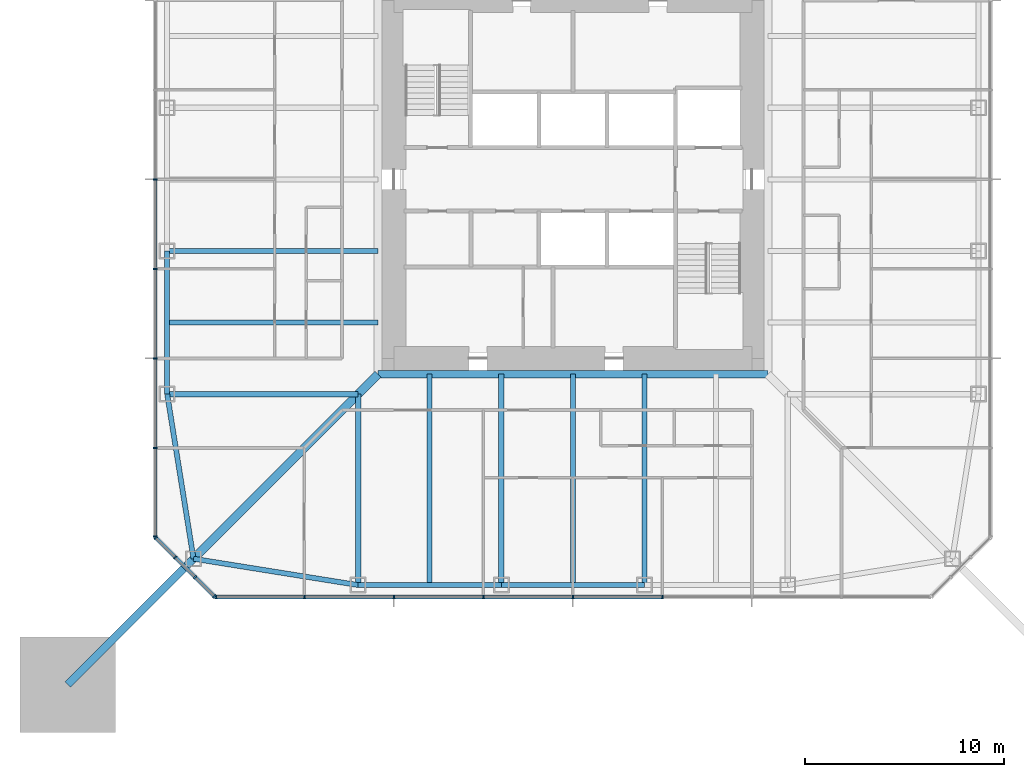
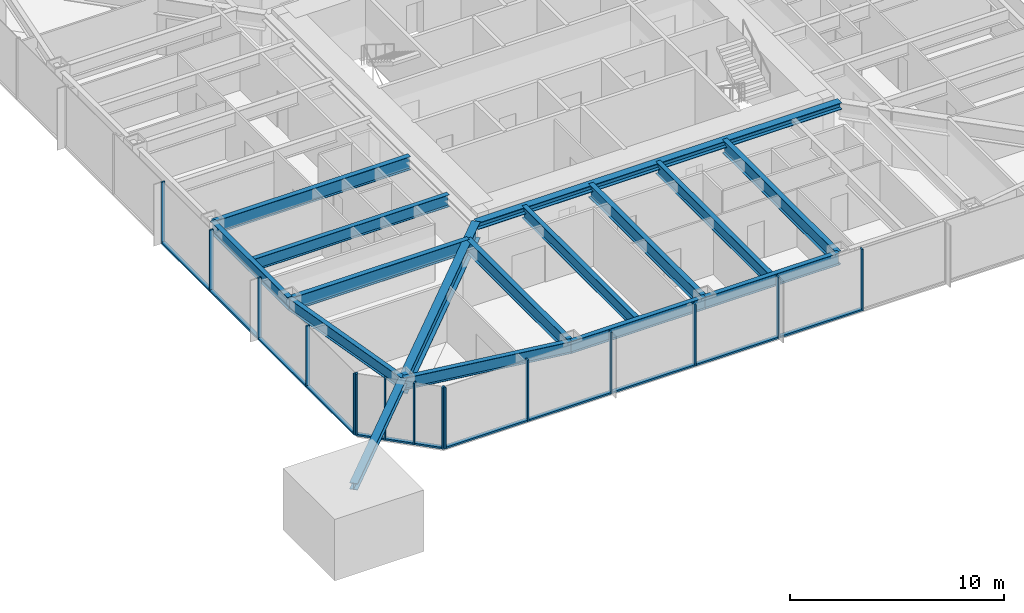
# One storey, part 3 of 25: 28 members, 15 beams, 3 elements without a shape of their own.
"""IFC4 building model written with IfcOpenShell, lengths in metres."""

from ifc_helpers import new_model, si_unit, direction, frame, origin, origin_2d, place, context, subcontext, project, spatial, rectangle, i_section, extrude, material, material_profile, profile_set, type_object, element, aggregate, save


model = new_model("IFC4")

# Units and contexts
model_context = context("Model", 3, precision=1e-05, world=origin(), true_north=direction((0.0, 1.0)))
body_context = subcontext(model_context, "Body", "Model", "MODEL_VIEW")
ifc_project = project(units=[si_unit("LENGTHUNIT", "METRE"), si_unit("AREAUNIT", "SQUARE_METRE"), si_unit("VOLUMEUNIT", "CUBIC_METRE"), si_unit("PLANEANGLEUNIT", "RADIAN"), si_unit("MASSUNIT", "GRAM", prefix="KILO")], contexts=[model_context])

# Site, building, storey
site_placement = place(None, origin())
site = spatial("IfcSite", under=ifc_project, at=site_placement, CompositionType="ELEMENT")
building_placement = place(site_placement, origin())
building = spatial("IfcBuilding", under=site, at=building_placement, Name="Iwan Alto Co-Living Towers", CompositionType="ELEMENT")
storey_placement = place(building_placement, frame((0.0, 0.0, 108.5)))
storey = spatial("IfcBuildingStorey", under=building, at=storey_placement, Name="L29", CompositionType="ELEMENT", Elevation=108.5)

# Curtain wall, members
ifc_material_1 = material(Name="Bronze aluminium unitised frame", Category="aluminium")
curtain_wall_type_1 = type_object("IfcCurtainWallType", Name="CURTAIN WALL CW-A", PredefinedType="NOTDEFINED", material=ifc_material_1)
curtain_wall_1_placement = place(storey_placement, origin())
curtain_wall_1 = element("IfcCurtainWall", 1, at=curtain_wall_1_placement, inside=storey, type_object=curtain_wall_type_1, Name="T1 curtain wall S L29", PredefinedType="NOTDEFINED")
ifc_material_2 = material(Name="Aluminium 6063-T6 bronze anodised", Category="aluminium")
ifc_material_profile_1 = material_profile(ifc_material_2, rectangle(XDim=0.199951171875, YDim=0.080078125, at=origin_2d()), Name="AL 80X200")
ifc_profile_set_1 = profile_set([ifc_material_profile_1], Name="Aluminium 6063-T6 bronze anodised")
member_type_1 = type_object("IfcMemberType", Name="CW-A MULLION 80X200", PredefinedType="MULLION", material=ifc_profile_set_1)
member_1_placement = place(storey_placement, frame((-17.9599609375, -21.0, 0.0), z_axis=(0.0, 0.0, 1.0), x_axis=(0.0, 1.0, 0.0)))
member_1 = element("IfcMember", 2, at=member_1_placement, type_object=member_type_1, Name="CW-A mullion 1", PredefinedType="MULLION", context=body_context, shape_type="SweptSolid", body=[
    extrude(rectangle(XDim=0.199951171875, YDim=0.080078125, at=origin_2d()), origin(), (0.0, 0.0, 1.0), 3.5),
])
member_2_placement = place(storey_placement, frame((-13.5, -21.0, 0.0), z_axis=(0.0, 0.0, 1.0), x_axis=(0.0, 1.0, 0.0)))
member_2 = element("IfcMember", 3, at=member_2_placement, type_object=member_type_1, Name="CW-A mullion 2", PredefinedType="MULLION", context=body_context, shape_type="SweptSolid", body=[
    extrude(rectangle(XDim=0.199951171875, YDim=0.080078125, at=origin_2d()), origin(), (0.0, 0.0, 1.0), 3.5),
])
member_3_placement = place(storey_placement, frame((-9.0, -21.0, 0.0), z_axis=(0.0, 0.0, 1.0), x_axis=(0.0, 1.0, 0.0)))
member_3 = element("IfcMember", 4, at=member_3_placement, type_object=member_type_1, Name="CW-A mullion 3", PredefinedType="MULLION", context=body_context, shape_type="SweptSolid", body=[
    extrude(rectangle(XDim=0.199951171875, YDim=0.080078125, at=origin_2d()), origin(), (0.0, 0.0, 1.0), 3.5),
])
member_4_placement = place(storey_placement, frame((-4.5, -21.0, 0.0), z_axis=(0.0, 0.0, 1.0), x_axis=(0.0, 1.0, 0.0)))
member_4 = element("IfcMember", 5, at=member_4_placement, type_object=member_type_1, Name="CW-A mullion 4", PredefinedType="MULLION", context=body_context, shape_type="SweptSolid", body=[
    extrude(rectangle(XDim=0.199951171875, YDim=0.080078125, at=origin_2d()), origin(), (0.0, 0.0, 1.0), 3.5),
])
member_5_placement = place(storey_placement, frame((0.0, -21.0, 0.0), z_axis=(0.0, 0.0, 1.0), x_axis=(0.0, 1.0, 0.0)))
member_5 = element("IfcMember", 6, at=member_5_placement, type_object=member_type_1, Name="CW-A mullion 5", PredefinedType="MULLION", context=body_context, shape_type="SweptSolid", body=[
    extrude(rectangle(XDim=0.199951171875, YDim=0.080078125, at=origin_2d()), origin(), (0.0, 0.0, 1.0), 3.5),
])
member_6_placement = place(storey_placement, frame((4.5, -21.0, 0.0), z_axis=(0.0, 0.0, 1.0), x_axis=(0.0, 1.0, 0.0)))
member_6 = element("IfcMember", 7, at=member_6_placement, type_object=member_type_1, Name="CW-A mullion 6", PredefinedType="MULLION", context=body_context, shape_type="SweptSolid", body=[
    extrude(rectangle(XDim=0.199951171875, YDim=0.080078125, at=origin_2d()), origin(), (0.0, 0.0, 1.0), 3.5),
])

curtain_wall_2_placement = place(storey_placement, origin())
curtain_wall_2 = element("IfcCurtainWall", 8, at=curtain_wall_2_placement, inside=storey, type_object=curtain_wall_type_1, Name="T1 curtain wall W L29", PredefinedType="NOTDEFINED")
member_7_placement = place(storey_placement, frame((-21.0, 0.0, 0.0), z_axis=(0.0, 0.0, 1.0), x_axis=(1.0, 0.0, 0.0)))
member_7 = element("IfcMember", 9, at=member_7_placement, type_object=member_type_1, Name="CW-A mullion 5", PredefinedType="MULLION", context=body_context, shape_type="SweptSolid", body=[
    extrude(rectangle(XDim=0.199951171875, YDim=0.080078125, at=origin_2d()), origin(), (0.0, 0.0, 1.0), 3.5),
])
member_8_placement = place(storey_placement, frame((-21.0, -4.5, 0.0), z_axis=(0.0, 0.0, 1.0), x_axis=(1.0, 0.0, 0.0)))
member_8 = element("IfcMember", 10, at=member_8_placement, type_object=member_type_1, Name="CW-A mullion 6", PredefinedType="MULLION", context=body_context, shape_type="SweptSolid", body=[
    extrude(rectangle(XDim=0.199951171875, YDim=0.080078125, at=origin_2d()), origin(), (0.0, 0.0, 1.0), 3.5),
])
member_9_placement = place(storey_placement, frame((-21.0, -9.0, 0.0), z_axis=(0.0, 0.0, 1.0), x_axis=(1.0, 0.0, 0.0)))
member_9 = element("IfcMember", 11, at=member_9_placement, type_object=member_type_1, Name="CW-A mullion 7", PredefinedType="MULLION", context=body_context, shape_type="SweptSolid", body=[
    extrude(rectangle(XDim=0.199951171875, YDim=0.080078125, at=origin_2d()), origin(), (0.0, 0.0, 1.0), 3.5),
])
member_10_placement = place(storey_placement, frame((-21.0, -13.5, 0.0), z_axis=(0.0, 0.0, 1.0), x_axis=(1.0, 0.0, 0.0)))
member_10 = element("IfcMember", 12, at=member_10_placement, type_object=member_type_1, Name="CW-A mullion 8", PredefinedType="MULLION", context=body_context, shape_type="SweptSolid", body=[
    extrude(rectangle(XDim=0.199951171875, YDim=0.080078125, at=origin_2d()), origin(), (0.0, 0.0, 1.0), 3.5),
])
member_11_placement = place(storey_placement, frame((-21.0, -17.9599609375, 0.0), z_axis=(0.0, 0.0, 1.0), x_axis=(1.0, 0.0, 0.0)))
member_11 = element("IfcMember", 13, at=member_11_placement, type_object=member_type_1, Name="CW-A mullion 9", PredefinedType="MULLION", context=body_context, shape_type="SweptSolid", body=[
    extrude(rectangle(XDim=0.199951171875, YDim=0.080078125, at=origin_2d()), origin(), (0.0, 0.0, 1.0), 3.5),
])

# Member
ifc_material_3 = material(Name="Aluminium 6063-T6 bronze anodised", Category="aluminium")
ifc_material_profile_2 = material_profile(ifc_material_3, rectangle(XDim=0.199951171875, YDim=0.10009765625, at=origin_2d()), Name="AL 200X100")
ifc_profile_set_2 = profile_set([ifc_material_profile_2], Name="Aluminium 6063-T6 bronze anodised")
member_type_2 = type_object("IfcMemberType", Name="CW-A TRANSOM 200X100", PredefinedType="USERDEFINED", material=ifc_profile_set_2)
member_12_placement = place(storey_placement, frame((-17.919921875, -21.0, 0.050048828125), z_axis=(1.0, 0.0, 0.0), x_axis=(0.0, 1.0, 0.0)))
member_12 = element("IfcMember", 14, at=member_12_placement, type_object=member_type_2, Name="CW-A transom 1.1", ObjectType="TRANSOM", PredefinedType="USERDEFINED", context=body_context, shape_type="SweptSolid", body=[
    extrude(rectangle(XDim=0.199951171875, YDim=0.10009765625, at=origin_2d()), origin(), (0.0, 0.0, 1.0), 4.3798828125),
])

member_13_placement = place(storey_placement, frame((-13.4599609375, -21.0, 0.050048828125), z_axis=(1.0, 0.0, 0.0), x_axis=(0.0, 1.0, 0.0)))
member_13 = element("IfcMember", 15, at=member_13_placement, type_object=member_type_2, Name="CW-A transom 2.1", ObjectType="TRANSOM", PredefinedType="USERDEFINED", context=body_context, shape_type="SweptSolid", body=[
    extrude(rectangle(XDim=0.199951171875, YDim=0.10009765625, at=origin_2d()), origin(), (0.0, 0.0, 1.0), 4.419921875),
])

member_14_placement = place(storey_placement, frame((-8.9599609375, -21.0, 0.050048828125), z_axis=(1.0, 0.0, 0.0), x_axis=(0.0, 1.0, 0.0)))
member_14 = element("IfcMember", 16, at=member_14_placement, type_object=member_type_2, Name="CW-A transom 3.1", ObjectType="TRANSOM", PredefinedType="USERDEFINED", context=body_context, shape_type="SweptSolid", body=[
    extrude(rectangle(XDim=0.199951171875, YDim=0.10009765625, at=origin_2d()), origin(), (0.0, 0.0, 1.0), 4.419921875),
])

member_15_placement = place(storey_placement, frame((-4.4599609375, -21.0, 0.050048828125), z_axis=(1.0, 0.0, 0.0), x_axis=(0.0, 1.0, 0.0)))
member_15 = element("IfcMember", 17, at=member_15_placement, type_object=member_type_2, Name="CW-A transom 4.1", ObjectType="TRANSOM", PredefinedType="USERDEFINED", context=body_context, shape_type="SweptSolid", body=[
    extrude(rectangle(XDim=0.199951171875, YDim=0.10009765625, at=origin_2d()), origin(), (0.0, 0.0, 1.0), 4.419921875),
])

member_16_placement = place(storey_placement, frame((0.0400390625, -21.0, 0.050048828125), z_axis=(1.0, 0.0, 0.0), x_axis=(0.0, 1.0, 0.0)))
member_16 = element("IfcMember", 18, at=member_16_placement, type_object=member_type_2, Name="CW-A transom 5.1", ObjectType="TRANSOM", PredefinedType="USERDEFINED", context=body_context, shape_type="SweptSolid", body=[
    extrude(rectangle(XDim=0.199951171875, YDim=0.10009765625, at=origin_2d()), origin(), (0.0, 0.0, 1.0), 4.419921875),
])

aggregate(curtain_wall_1, [member_1, member_2, member_3, member_4, member_5, member_6, member_12, member_13, member_14, member_15, member_16])

member_17_placement = place(storey_placement, frame((-21.0, -0.0400390625, 0.050048828125), z_axis=(0.0, -1.0, 0.0), x_axis=(1.0, 0.0, 0.0)))
member_17 = element("IfcMember", 19, at=member_17_placement, type_object=member_type_2, Name="CW-A transom 5.1", ObjectType="TRANSOM", PredefinedType="USERDEFINED", context=body_context, shape_type="SweptSolid", body=[
    extrude(rectangle(XDim=0.199951171875, YDim=0.10009765625, at=origin_2d()), origin(), (0.0, 0.0, 1.0), 4.419921875),
])

member_18_placement = place(storey_placement, frame((-21.0, -4.5400390625, 0.050048828125), z_axis=(0.0, -1.0, 0.0), x_axis=(1.0, 0.0, 0.0)))
member_18 = element("IfcMember", 20, at=member_18_placement, type_object=member_type_2, Name="CW-A transom 6.1", ObjectType="TRANSOM", PredefinedType="USERDEFINED", context=body_context, shape_type="SweptSolid", body=[
    extrude(rectangle(XDim=0.199951171875, YDim=0.10009765625, at=origin_2d()), origin(), (0.0, 0.0, 1.0), 4.419921875),
])

member_19_placement = place(storey_placement, frame((-21.0, -9.0400390625, 0.050048828125), z_axis=(0.0, -1.0, 0.0), x_axis=(1.0, 0.0, 0.0)))
member_19 = element("IfcMember", 21, at=member_19_placement, type_object=member_type_2, Name="CW-A transom 7.1", ObjectType="TRANSOM", PredefinedType="USERDEFINED", context=body_context, shape_type="SweptSolid", body=[
    extrude(rectangle(XDim=0.199951171875, YDim=0.10009765625, at=origin_2d()), origin(), (0.0, 0.0, 1.0), 4.419921875),
])

member_20_placement = place(storey_placement, frame((-21.0, -13.5400390625, 0.050048828125), z_axis=(0.0, -1.0, 0.0), x_axis=(1.0, 0.0, 0.0)))
member_20 = element("IfcMember", 22, at=member_20_placement, type_object=member_type_2, Name="CW-A transom 8.1", ObjectType="TRANSOM", PredefinedType="USERDEFINED", context=body_context, shape_type="SweptSolid", body=[
    extrude(rectangle(XDim=0.199951171875, YDim=0.10009765625, at=origin_2d()), origin(), (0.0, 0.0, 1.0), 4.3798828125),
])

aggregate(curtain_wall_2, [member_7, member_8, member_9, member_10, member_11, member_17, member_18, member_19, member_20])

# Curtain wall, members
ifc_material_4 = material(Name="Bronze aluminium unitised frame", Category="aluminium")
curtain_wall_type_2 = type_object("IfcCurtainWallType", Name="CURTAIN WALL CW-B", PredefinedType="NOTDEFINED", material=ifc_material_4)
curtain_wall_3_placement = place(storey_placement, origin())
curtain_wall_3 = element("IfcCurtainWall", 23, at=curtain_wall_3_placement, inside=storey, type_object=curtain_wall_type_2, Name="T1 chamfer curtain wall SW L29", PredefinedType="NOTDEFINED")
ifc_material_5 = material(Name="Aluminium 6063-T6 bronze anodised", Category="aluminium")
ifc_material_profile_3 = material_profile(ifc_material_5, rectangle(XDim=0.199951171875, YDim=0.080078125, at=origin_2d()), Name="AL 80X200")
ifc_profile_set_3 = profile_set([ifc_material_profile_3], Name="Aluminium 6063-T6 bronze anodised")
member_type_3 = type_object("IfcMemberType", Name="CW-B MULLION 80X200", PredefinedType="MULLION", material=ifc_profile_set_3)
member_21_placement = place(storey_placement, frame((-20.9716796875, -18.0283203125, 0.0), z_axis=(0.0, 0.0, 1.0), x_axis=(0.707106781187, 0.707106781187, 0.0)))
member_21 = element("IfcMember", 24, at=member_21_placement, type_object=member_type_3, Name="CW-B mullion 1", PredefinedType="MULLION", context=body_context, shape_type="SweptSolid", body=[
    extrude(rectangle(XDim=0.199951171875, YDim=0.080078125, at=origin_2d()), origin(), (0.0, 0.0, 1.0), 3.5),
])
member_22_placement = place(storey_placement, frame((-20.0, -19.0, 0.0), z_axis=(0.0, 0.0, 1.0), x_axis=(0.707106781187, 0.707106781187, 0.0)))
member_22 = element("IfcMember", 25, at=member_22_placement, type_object=member_type_3, Name="CW-B mullion 2", PredefinedType="MULLION", context=body_context, shape_type="SweptSolid", body=[
    extrude(rectangle(XDim=0.199951171875, YDim=0.080078125, at=origin_2d()), origin(), (0.0, 0.0, 1.0), 3.5),
])
member_23_placement = place(storey_placement, frame((-19.0, -20.0, 0.0), z_axis=(0.0, 0.0, 1.0), x_axis=(0.707106781187, 0.707106781187, 0.0)))
member_23 = element("IfcMember", 26, at=member_23_placement, type_object=member_type_3, Name="CW-B mullion 3", PredefinedType="MULLION", context=body_context, shape_type="SweptSolid", body=[
    extrude(rectangle(XDim=0.199951171875, YDim=0.080078125, at=origin_2d()), origin(), (0.0, 0.0, 1.0), 3.5),
])
member_24_placement = place(storey_placement, frame((-18.0283203125, -20.9716796875, 0.0), z_axis=(0.0, 0.0, 1.0), x_axis=(0.707106781187, 0.707106781187, 0.0)))
member_24 = element("IfcMember", 27, at=member_24_placement, type_object=member_type_3, Name="CW-B mullion 4", PredefinedType="MULLION", context=body_context, shape_type="SweptSolid", body=[
    extrude(rectangle(XDim=0.199951171875, YDim=0.080078125, at=origin_2d()), origin(), (0.0, 0.0, 1.0), 3.5),
])
ifc_material_6 = material(Name="Aluminium 6063-T6 bronze anodised", Category="aluminium")
ifc_material_profile_4 = material_profile(ifc_material_6, rectangle(XDim=0.199951171875, YDim=0.10009765625, at=origin_2d()), Name="AL 200X100")
ifc_profile_set_4 = profile_set([ifc_material_profile_4], Name="Aluminium 6063-T6 bronze anodised")
member_type_4 = type_object("IfcMemberType", Name="CW-B TRANSOM 200X100", PredefinedType="USERDEFINED", material=ifc_profile_set_4)
member_25_placement = place(storey_placement, frame((-20.943359375, -18.056640625, 0.050048828125), z_axis=(0.707106781187, -0.707106781187, 0.0), x_axis=(0.707106781187, 0.707106781187, 0.0)))
member_25 = element("IfcMember", 28, at=member_25_placement, type_object=member_type_4, Name="CW-B transom 1.1", ObjectType="TRANSOM", PredefinedType="USERDEFINED", context=body_context, shape_type="SweptSolid", body=[
    extrude(rectangle(XDim=0.199951171875, YDim=0.10009765625, at=origin_2d()), origin(), (0.0, 0.0, 1.0), 1.2939453125),
])
member_26_placement = place(storey_placement, frame((-19.9716796875, -19.0283203125, 0.050048828125), z_axis=(0.707106781187, -0.707106781187, 0.0), x_axis=(0.707106781187, 0.707106781187, 0.0)))
member_26 = element("IfcMember", 29, at=member_26_placement, type_object=member_type_4, Name="CW-B transom 2.1", ObjectType="TRANSOM", PredefinedType="USERDEFINED", context=body_context, shape_type="SweptSolid", body=[
    extrude(rectangle(XDim=0.199951171875, YDim=0.10009765625, at=origin_2d()), origin(), (0.0, 0.0, 1.0), 1.334228515625),
])
member_27_placement = place(storey_placement, frame((-18.9716796875, -20.0283203125, 0.050048828125), z_axis=(0.707106781187, -0.707106781187, 0.0), x_axis=(0.707106781187, 0.707106781187, 0.0)))
member_27 = element("IfcMember", 30, at=member_27_placement, type_object=member_type_4, Name="CW-B transom 3.1", ObjectType="TRANSOM", PredefinedType="USERDEFINED", context=body_context, shape_type="SweptSolid", body=[
    extrude(rectangle(XDim=0.199951171875, YDim=0.10009765625, at=origin_2d()), origin(), (0.0, 0.0, 1.0), 1.2939453125),
])
aggregate(curtain_wall_3, [member_21, member_22, member_23, member_24, member_25, member_26, member_27])

# Beams
ifc_material_7 = material(Name="Steel ASTM A992 Gr 50", Category="steel")
ifc_material_profile_5 = material_profile(ifc_material_7, i_section(OverallWidth=0.398681640625, OverallDepth=0.385986328125, WebThickness=0.02099609375, FlangeThickness=0.033203125, at=origin_2d()), Name="W14X176")
ifc_profile_set_5 = profile_set([ifc_material_profile_5], Name="Steel ASTM A992 Gr 50")
beam_type_1 = type_object("IfcBeamType", Name="T1 CORE LEDGER BEAM W14X176", PredefinedType="BEAM", material=ifc_profile_set_5)
beam_1_placement = place(storey_placement, frame((-9.79931640625, -9.79931640625, 3.076904296875), z_axis=(1.0, 0.0, 0.0), x_axis=(0.0, 1.0, 0.0)))
element("IfcBeam", 31, at=beam_1_placement, inside=storey, type_object=beam_type_1, Name="T1 core ledger beam S L30", PredefinedType="BEAM", context=body_context, shape_type="SweptSolid", body=[
    extrude(i_section(OverallWidth=0.398681640625, OverallDepth=0.385986328125, WebThickness=0.02099609375, FlangeThickness=0.033203125, at=origin_2d()), origin(), (0.0, 0.0, 1.0), 19.5986328125),
])
ifc_material_8 = material(Name="Steel ASTM A992 Gr 50", Category="steel")
ifc_material_profile_6 = material_profile(ifc_material_8, i_section(OverallWidth=0.419189453125, OverallDepth=0.927001953125, WebThickness=0.019287109375, FlangeThickness=0.031982421875, at=origin_2d()), Name="W36X231")
ifc_profile_set_6 = profile_set([ifc_material_profile_6], Name="Steel ASTM A992 Gr 50")
beam_type_2 = type_object("IfcBeamType", Name="T1 CORNER GIRDER W36X231", PredefinedType="BEAM", material=ifc_profile_set_6)
beam_2_placement = place(storey_placement, frame((-19.07568359375, -19.07568359375, 2.806396484375), z_axis=(0.707106781187, 0.707106781187, 0.0), x_axis=(-0.707106781187, 0.707106781187, 0.0)))
element("IfcBeam", 32, at=beam_2_placement, inside=storey, type_object=beam_type_2, Name="T1 corner girder CSW L30", PredefinedType="BEAM", context=body_context, shape_type="SweptSolid", body=[
    extrude(i_section(OverallWidth=0.419189453125, OverallDepth=0.927001953125, WebThickness=0.019287109375, FlangeThickness=0.031982421875, at=origin_2d()), origin(), (0.0, 0.0, 1.0), 13.11865234375),
])
ifc_material_9 = material(Name="Steel ASTM A992 Gr 50", Category="steel")
ifc_material_profile_7 = material_profile(ifc_material_9, i_section(OverallWidth=0.25390625, OverallDepth=0.683349609375, WebThickness=0.012451171875, FlangeThickness=0.018798828125, at=origin_2d()), Name="W27X94")
ifc_profile_set_7 = profile_set([ifc_material_profile_7], Name="Steel ASTM A992 Gr 50")
beam_type_3 = type_object("IfcBeamType", Name="T1 EDGE BEAM W27X94", PredefinedType="BEAM", material=ifc_profile_set_7)
beam_3_placement = place(storey_placement, frame((-19.07568359375, -19.07568359375, 2.928466796875), z_axis=(0.987438450439, -0.158004134737, 0.0), x_axis=(0.158004134737, 0.987438450439, 0.0)))
element("IfcBeam", 33, at=beam_3_placement, inside=storey, type_object=beam_type_3, Name="T1 edge beam CSW L30", PredefinedType="BEAM", context=body_context, shape_type="SweptSolid", body=[
    extrude(i_section(OverallWidth=0.25390625, OverallDepth=0.683349609375, WebThickness=0.012451171875, FlangeThickness=0.018798828125, at=origin_2d()), origin(), (0.0, 0.0, 1.0), 8.380859375),
])
beam_4_placement = place(storey_placement, frame((-10.800048828125, -20.39990234375, 2.928466796875), z_axis=(1.0, 0.0, 0.0), x_axis=(0.0, 1.0, 0.0)))
element("IfcBeam", 34, at=beam_4_placement, inside=storey, type_object=beam_type_3, Name="T1 edge beam S1 L30", PredefinedType="BEAM", context=body_context, shape_type="SweptSolid", body=[
    extrude(i_section(OverallWidth=0.25390625, OverallDepth=0.683349609375, WebThickness=0.012451171875, FlangeThickness=0.018798828125, at=origin_2d()), origin(), (0.0, 0.0, 1.0), 7.199951171875),
])
beam_5_placement = place(storey_placement, frame((-3.60009765625, -20.39990234375, 2.928466796875), z_axis=(1.0, 0.0, 0.0), x_axis=(0.0, 1.0, 0.0)))
element("IfcBeam", 35, at=beam_5_placement, inside=storey, type_object=beam_type_3, Name="T1 edge beam S2 L30", PredefinedType="BEAM", context=body_context, shape_type="SweptSolid", body=[
    extrude(i_section(OverallWidth=0.25390625, OverallDepth=0.683349609375, WebThickness=0.012451171875, FlangeThickness=0.018798828125, at=origin_2d()), origin(), (0.0, 0.0, 1.0), 7.2001953125),
])
beam_6_placement = place(storey_placement, frame((-20.39990234375, -3.60009765625, 2.928466796875), z_axis=(0.0, -1.0, 0.0), x_axis=(1.0, 0.0, 0.0)))
element("IfcBeam", 36, at=beam_6_placement, inside=storey, type_object=beam_type_3, Name="T1 edge beam W3 L30", PredefinedType="BEAM", context=body_context, shape_type="SweptSolid", body=[
    extrude(i_section(OverallWidth=0.25390625, OverallDepth=0.683349609375, WebThickness=0.012451171875, FlangeThickness=0.018798828125, at=origin_2d()), origin(), (0.0, 0.0, 1.0), 7.199951171875),
])
beam_7_placement = place(storey_placement, frame((-20.39990234375, -10.800048828125, 2.928466796875), z_axis=(0.158004134737, -0.987438450439, 0.0), x_axis=(0.987438450439, 0.158004134737, 0.0)))
element("IfcBeam", 37, at=beam_7_placement, inside=storey, type_object=beam_type_3, Name="T1 edge beam W4 L30", PredefinedType="BEAM", context=body_context, shape_type="SweptSolid", body=[
    extrude(i_section(OverallWidth=0.25390625, OverallDepth=0.683349609375, WebThickness=0.012451171875, FlangeThickness=0.018798828125, at=origin_2d()), origin(), (0.0, 0.0, 1.0), 8.380859375),
])

# Member
ifc_material_10 = material(Name="Steel ASTM A992 Gr 50", Category="steel")
ifc_material_profile_8 = material_profile(ifc_material_10, i_section(OverallWidth=0.393798828125, OverallDepth=0.3759765625, WebThickness=0.017333984375, FlangeThickness=0.027587890625, at=origin_2d()), Name="W14X145")
ifc_profile_set_8 = profile_set([ifc_material_profile_8], Name="Steel ASTM A992 Gr 50")
member_type_5 = type_object("IfcMemberType", Name="T1 MEGA COLUMN FLOOR TIE W14X145", PredefinedType="STRUT", material=ifc_profile_set_8)
member_28_placement = place(storey_placement, frame((-25.39990234375, -25.39990234375, 3.08203125), z_axis=(0.707106781187, 0.707106781187, 0.0), x_axis=(-0.707106781187, 0.707106781187, 0.0)))
element("IfcMember", 38, at=member_28_placement, inside=storey, type_object=member_type_5, Name="T1 mega column floor tie SW L30", PredefinedType="STRUT", context=body_context, shape_type="SweptSolid", body=[
    extrude(i_section(OverallWidth=0.393798828125, OverallDepth=0.3759765625, WebThickness=0.017333984375, FlangeThickness=0.027587890625, at=origin_2d()), origin(), (0.0, 0.0, 1.0), 8.94384765625),
])

# Beams
ifc_material_11 = material(Name="Steel ASTM A992 Gr 50", Category="steel")
ifc_material_profile_9 = material_profile(ifc_material_11, i_section(OverallWidth=0.2666015625, OverallDepth=0.761962890625, WebThickness=0.014404296875, FlangeThickness=0.021484375, at=origin_2d()), Name="W30X116")
ifc_profile_set_9 = profile_set([ifc_material_profile_9], Name="Steel ASTM A992 Gr 50")
beam_type_4 = type_object("IfcBeamType", Name="T1 RADIAL BEAM W30X116", PredefinedType="BEAM", material=ifc_profile_set_9)
beam_8_placement = place(storey_placement, frame((-10.800048828125, -20.39990234375, 2.888916015625), z_axis=(0.0, 1.0, 0.0), x_axis=(-1.0, 0.0, 0.0)))
element("IfcBeam", 39, at=beam_8_placement, inside=storey, type_object=beam_type_4, Name="T1 radial beam S1 L30", PredefinedType="BEAM", context=body_context, shape_type="SweptSolid", body=[
    extrude(i_section(OverallWidth=0.2666015625, OverallDepth=0.761962890625, WebThickness=0.014404296875, FlangeThickness=0.021484375, at=origin_2d()), origin(), (0.0, 0.0, 1.0), 9.599853515625),
])
for number, where, z_axis, x_axis, name in (
    (40, (-3.60009765625, -20.39990234375, 2.888916015625), (0.0, 1.0, 0.0), (-1.0, 0.0, 0.0), "T1 radial beam S2 L30"),
    (41, (3.60009765625, -20.39990234375, 2.888916015625), (0.0, 1.0, 0.0), (-1.0, 0.0, 0.0), "T1 radial beam S3 L30"),
    (42, (-20.39990234375, -3.60009765625, 2.888916015625), (1.0, 0.0, 0.0), (0.0, 1.0, 0.0), "T1 radial beam W3 L30"),
):
    element("IfcBeam", number, at=place(storey_placement, frame(where, z_axis=z_axis, x_axis=x_axis)), inside=storey, type_object=beam_type_4, Name=name, PredefinedType="BEAM", context=body_context, shape_type="SweptSolid", body=[
        extrude(i_section(OverallWidth=0.2666015625, OverallDepth=0.761962890625, WebThickness=0.014404296875, FlangeThickness=0.021484375, at=origin_2d()), origin(), (0.0, 0.0, 1.0), 10.6005859375),
    ])
beam_9_placement = place(storey_placement, frame((-20.39990234375, -10.800048828125, 2.888916015625), z_axis=(1.0, 0.0, 0.0), x_axis=(0.0, 1.0, 0.0)))
element("IfcBeam", 43, at=beam_9_placement, inside=storey, type_object=beam_type_4, Name="T1 radial beam W4 L30", PredefinedType="BEAM", context=body_context, shape_type="SweptSolid", body=[
    extrude(i_section(OverallWidth=0.2666015625, OverallDepth=0.761962890625, WebThickness=0.014404296875, FlangeThickness=0.021484375, at=origin_2d()), origin(), (0.0, 0.0, 1.0), 9.599853515625),
])
ifc_material_12 = material(Name="Steel ASTM A992 Gr 50", Category="steel")
ifc_material_profile_10 = material_profile(ifc_material_12, i_section(OverallWidth=0.25390625, OverallDepth=0.683349609375, WebThickness=0.012451171875, FlangeThickness=0.018798828125, at=origin_2d()), Name="W27X94")
ifc_profile_set_10 = profile_set([ifc_material_profile_10], Name="Steel ASTM A992 Gr 50")
beam_type_5 = type_object("IfcBeamType", Name="T1 SECONDARY BEAM W27X94", PredefinedType="JOIST", material=ifc_profile_set_10)
for number, where, z_axis, x_axis, name in (
    (44, (-7.199951171875, -20.39990234375, 2.928466796875), (0.0, 1.0, 0.0), (-1.0, 0.0, 0.0), "T1 secondary beam S1 L30"),
    (45, (0.0, -20.39990234375, 2.928466796875), (0.0, 1.0, 0.0), (-1.0, 0.0, 0.0), "T1 secondary beam S2 L30"),
    (46, (-20.39990234375, -7.199951171875, 2.928466796875), (1.0, 0.0, 0.0), (0.0, 1.0, 0.0), "T1 secondary beam W3 L30"),
):
    element("IfcBeam", number, at=place(storey_placement, frame(where, z_axis=z_axis, x_axis=x_axis)), inside=storey, type_object=beam_type_5, Name=name, PredefinedType="JOIST", context=body_context, shape_type="SweptSolid", body=[
        extrude(i_section(OverallWidth=0.25390625, OverallDepth=0.683349609375, WebThickness=0.012451171875, FlangeThickness=0.018798828125, at=origin_2d()), origin(), (0.0, 0.0, 1.0), 10.6005859375),
    ])

save(model, "model.ifc")
